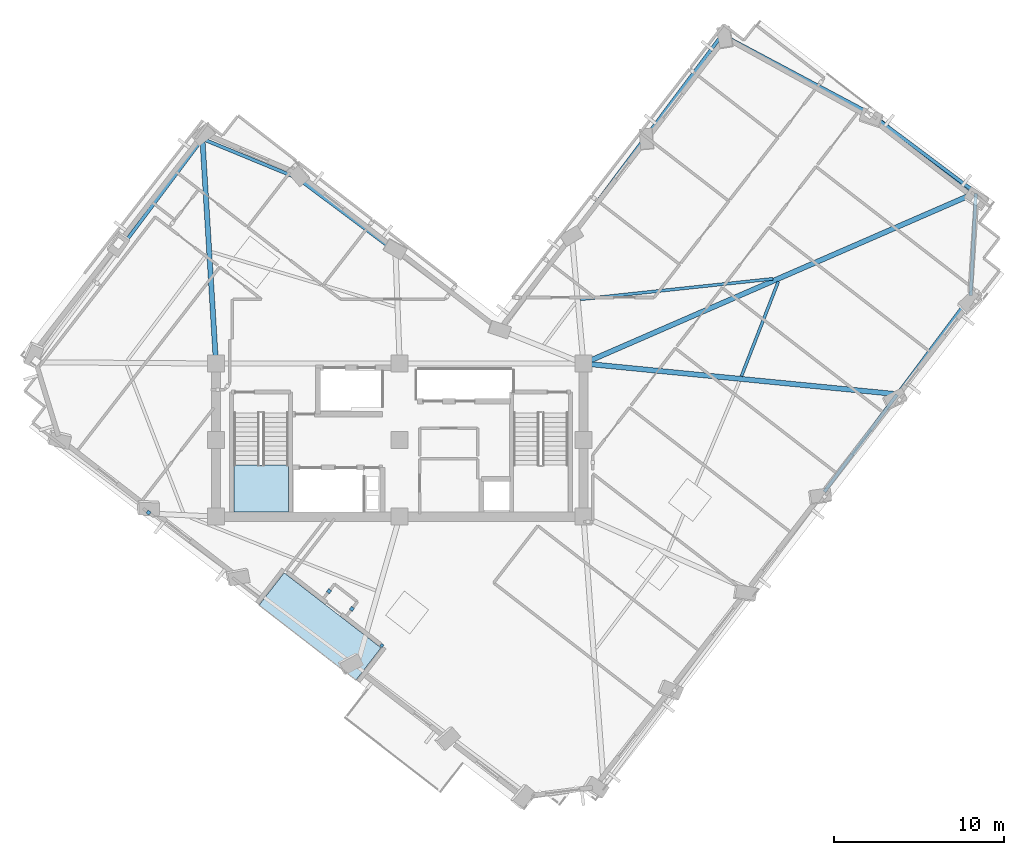
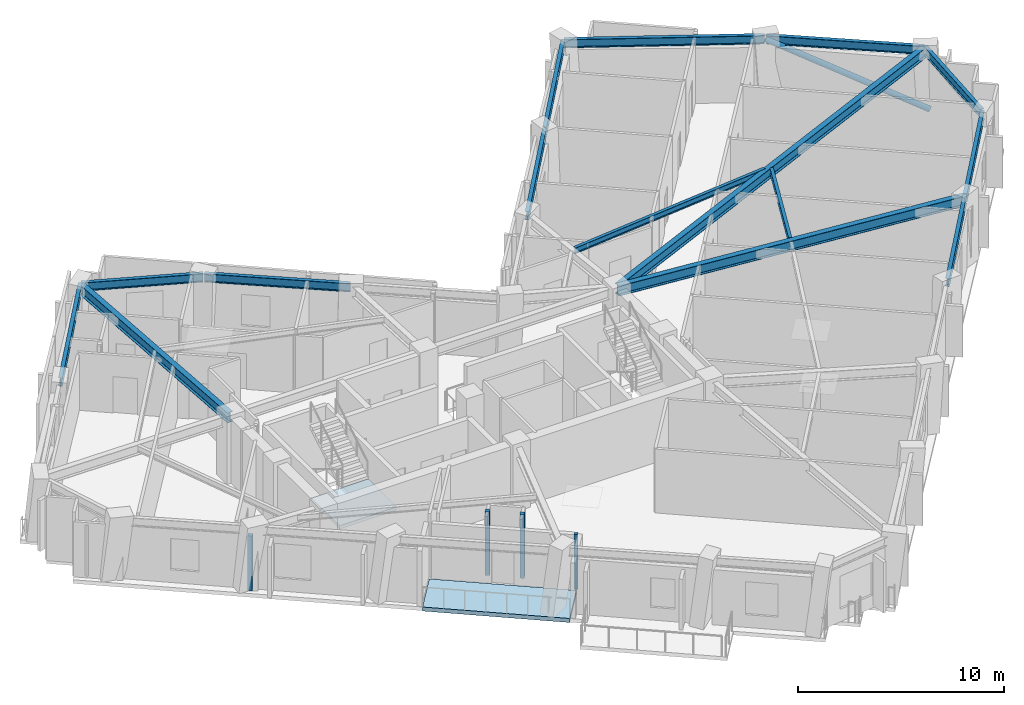
# One storey, part 2 of 12: 15 beams, 4 plates, 2 slabs, 1 member, 1 element without a shape of its own.
"""IFC4 building model written with IfcOpenShell, lengths in metres."""

from ifc_helpers import new_model, si_unit, direction, frame, origin, origin_2d, place, context, subcontext, project, spatial, polyline, rectangle, hollow_circle, i_section, outline, extrude, material, layer, layer_set, material_profile, profile_set, type_object, element, aggregate, save


model = new_model("IFC4")

# Units and contexts
model_context = context("Model", 3, precision=1e-05, world=origin(), true_north=direction((0.0, 1.0)))
body_context = subcontext(model_context, "Body", "Model", "MODEL_VIEW")
ifc_project = project(units=[si_unit("LENGTHUNIT", "METRE"), si_unit("AREAUNIT", "SQUARE_METRE"), si_unit("VOLUMEUNIT", "CUBIC_METRE"), si_unit("PLANEANGLEUNIT", "RADIAN"), si_unit("MASSUNIT", "GRAM", prefix="KILO")], contexts=[model_context])

# Site, building, storey
site_placement = place(None, origin())
site = spatial("IfcSite", under=ifc_project, at=site_placement, CompositionType="ELEMENT")
building_placement = place(site_placement, origin())
building = spatial("IfcBuilding", under=site, at=building_placement, Name="Gaonmaruhae Medical Tower", CompositionType="ELEMENT")
storey_placement = place(building_placement, frame((0.0, 0.0, 247.199951171875)))
storey = spatial("IfcBuildingStorey", under=building, at=storey_placement, Name="L59", CompositionType="ELEMENT", Elevation=247.199951171875)

# Beams
ifc_material_1 = material(Name="Steel SM355", Category="steel")
ifc_material_profile_1 = material_profile(ifc_material_1, i_section(OverallWidth=0.175048828125, OverallDepth=0.35009765625, WebThickness=0.007080078125, FlangeThickness=0.010986328125, FilletRadius=0.012939453125, at=origin_2d()), Name="H-350x175x7x11")
ifc_profile_set_1 = profile_set([ifc_material_profile_1], Name="Steel SM355")
beam_type_1 = type_object("IfcBeamType", Name="FJ-02 Upper Zone Ward Floor Joist (H-350x175x7x11)", PredefinedType="JOIST", material=ifc_profile_set_1)
beam_1_placement = place(storey_placement, frame((44.884765625, 16.04833984375, 3.60498046875), z_axis=(0.363072983276, 0.931760703622, 0.0), x_axis=(-0.931760703622, 0.363072983276, 0.0)))
element("IfcBeam", 1, at=beam_1_placement, inside=storey, type_object=beam_type_1, Name="L59 Secondary Floor Joist FJ03", PredefinedType="JOIST", context=body_context, shape_type="SweptSolid", body=[
    extrude(i_section(OverallWidth=0.175048828125, OverallDepth=0.35009765625, WebThickness=0.007080078125, FlangeThickness=0.010986328125, FilletRadius=0.012939453125, at=origin_2d()), origin(), (0.0, 0.0, 1.0), 5.977294921875),
])
beam_2_placement = place(storey_placement, frame((46.7353515625, 21.77783203125, 3.60498046875), z_axis=(-0.994376618559, -0.105901560248, 0.0), x_axis=(0.105901560248, -0.994376618559, 0.0)))
element("IfcBeam", 2, at=beam_2_placement, inside=storey, type_object=beam_type_1, Name="L59 Secondary Floor Joist FJ04", PredefinedType="JOIST", context=body_context, shape_type="SweptSolid", body=[
    extrude(i_section(OverallWidth=0.175048828125, OverallDepth=0.35009765625, WebThickness=0.007080078125, FlangeThickness=0.010986328125, FilletRadius=0.012939453125, at=origin_2d()), origin(), (0.0, 0.0, 1.0), 11.3837890625),
])

# Member
ifc_material_profile_2 = material_profile(ifc_material_1, hollow_circle(Radius=0.1591796875, WallThickness=0.01025390625, at=origin_2d()), Name="CHS-318.5x10.3")
ifc_profile_set_2 = profile_set([ifc_material_profile_2], Name="Steel SM355")
member_type = type_object("IfcMemberType", Name="PB-03 Perimeter Solid-Bay Tube Brace Upper (CHS-318.5x10.3)", PredefinedType="BRACE", material=ifc_profile_set_2)
member_placement = place(storey_placement, frame((58.697998046875, 26.4248046875, 0.25), z_axis=(-0.719743481399, 0.583505422486, 0.376152552713), x_axis=(-0.629756132161, -0.776792902906, 0.0)))
element("IfcMember", 3, at=member_placement, inside=storey, type_object=member_type, Name="L59 Perimeter Tube Solid-Bay Brace E01-E02", PredefinedType="BRACE", context=body_context, shape_type="SweptSolid", body=[
    extrude(hollow_circle(Radius=0.1591796875, WallThickness=0.01025390625, at=origin_2d()), origin(), (0.0, 0.0, 1.0), 8.719970703125),
])

# Beams
ifc_material_2 = material(Name="Steel SM420", Category="steel")
ifc_material_profile_3 = material_profile(ifc_material_2, i_section(OverallWidth=0.300048828125, OverallDepth=0.60009765625, WebThickness=0.011962890625, FlangeThickness=0.02001953125, FilletRadius=0.012939453125, at=origin_2d()), Name="H-600x300x12x20")
ifc_profile_set_3 = profile_set([ifc_material_profile_3], Name="Steel SM420")
beam_type_2 = type_object("IfcBeamType", Name="PG-04 Zone 4 Radial Floor Girder (H-600x300x12x20)", PredefinedType="BEAM", material=ifc_profile_set_3)
beam_3_placement = place(storey_placement, frame((35.649658203125, 16.795166015625, 3.47998046875), z_axis=(0.995248821772, -0.097364175961, 0.0), x_axis=(0.097364175961, 0.995248821772, 0.0)))
element("IfcBeam", 4, at=beam_3_placement, inside=storey, type_object=beam_type_2, Name="L59 Radial Primary Girder S05", PredefinedType="BEAM", context=body_context, shape_type="SweptSolid", body=[
    extrude(i_section(OverallWidth=0.300048828125, OverallDepth=0.60009765625, WebThickness=0.011962890625, FlangeThickness=0.02001953125, FilletRadius=0.012939453125, at=origin_2d()), origin(), (0.0, 0.0, 1.0), 18.440185546875),
])
beam_4_placement = place(storey_placement, frame((35.645751953125, 16.820068359375, 3.47998046875), z_axis=(0.916909508073, 0.399095169109, 0.0), x_axis=(-0.399095169109, 0.916909508073, 0.0)))
element("IfcBeam", 5, at=beam_4_placement, inside=storey, type_object=beam_type_2, Name="L59 Radial Primary Girder E01", PredefinedType="BEAM", context=body_context, shape_type="SweptSolid", body=[
    extrude(i_section(OverallWidth=0.300048828125, OverallDepth=0.60009765625, WebThickness=0.011962890625, FlangeThickness=0.02001953125, FilletRadius=0.012939453125, at=origin_2d()), origin(), (0.0, 0.0, 1.0), 25.057861328125),
])
beam_5_placement = place(storey_placement, frame((13.9970703125, 16.849853515625, 3.47998046875), z_axis=(-0.060210976342, 0.998185673273, 0.0), x_axis=(-0.998185673273, -0.060210976342, 0.0)))
element("IfcBeam", 6, at=beam_5_placement, inside=storey, type_object=beam_type_2, Name="L59 Radial Primary Girder N01", PredefinedType="BEAM", context=body_context, shape_type="SweptSolid", body=[
    extrude(i_section(OverallWidth=0.300048828125, OverallDepth=0.60009765625, WebThickness=0.011962890625, FlangeThickness=0.02001953125, FilletRadius=0.012939453125, at=origin_2d()), origin(), (0.0, 0.0, 1.0), 13.12939453125),
])
ifc_material_profile_4 = material_profile(ifc_material_1, i_section(OverallWidth=0.199951171875, OverallDepth=0.5, WebThickness=0.010009765625, FlangeThickness=0.01611328125, FilletRadius=0.012939453125, at=origin_2d()), Name="H-500x200x10x16")
ifc_profile_set_4 = profile_set([ifc_material_profile_4], Name="Steel SM355")
beam_type_3 = type_object("IfcBeamType", Name="SP-02 Upper Perimeter Spandrel Beam (H-500x200x10x16)", PredefinedType="SPANDREL", material=ifc_profile_set_4)
for number, where, z_axis, x_axis, name in (
    (7, (49.762939453125, 9.26171875, 3.530029296875), (0.599033976422, 0.800723607178, 0.0), (-0.800723607178, 0.599033976422, 0.0), "L59 Perimeter Spandrel Beam S04-S05"),
    (8, (54.075927734375, 15.02685546875, 3.530029296875), (0.599017529522, 0.8007359111, 0.0), (-0.8007359111, 0.599017529522, 0.0), "L59 Perimeter Spandrel Beam S05-S06"),
):
    element("IfcBeam", number, at=place(storey_placement, frame(where, z_axis=z_axis, x_axis=x_axis)), inside=storey, type_object=beam_type_3, Name=name, PredefinedType="SPANDREL", context=body_context, shape_type="SweptSolid", body=[
        extrude(i_section(OverallWidth=0.199951171875, OverallDepth=0.5, WebThickness=0.010009765625, FlangeThickness=0.01611328125, FilletRadius=0.012939453125, at=origin_2d()), origin(), (0.0, 0.0, 1.0), 7.1201171875),
    ])
beam_6_placement = place(storey_placement, frame((58.366943359375, 20.800048828125, 3.530029296875), z_axis=(0.049698457967, 0.998764268121, 0.0), x_axis=(-0.998764268121, 0.049698457967, 0.0)))
element("IfcBeam", 9, at=beam_6_placement, inside=storey, type_object=beam_type_3, Name="L59 Perimeter Spandrel Beam S06-E01", PredefinedType="SPANDREL", context=body_context, shape_type="SweptSolid", body=[
    extrude(i_section(OverallWidth=0.199951171875, OverallDepth=0.5, WebThickness=0.010009765625, FlangeThickness=0.01611328125, FilletRadius=0.012939453125, at=origin_2d()), origin(), (0.0, 0.0, 1.0), 6.0078125),
])
beam_7_placement = place(storey_placement, frame((58.635498046875, 26.864501953125, 3.530029296875), z_axis=(-0.80072803468, 0.599028058172, 0.0), x_axis=(-0.599028058172, -0.80072803468, 0.0)))
element("IfcBeam", 10, at=beam_7_placement, inside=storey, type_object=beam_type_3, Name="L59 Perimeter Spandrel Beam E01-E02", PredefinedType="SPANDREL", context=body_context, shape_type="SweptSolid", body=[
    extrude(i_section(OverallWidth=0.199951171875, OverallDepth=0.5, WebThickness=0.010009765625, FlangeThickness=0.01611328125, FilletRadius=0.012939453125, at=origin_2d()), origin(), (0.0, 0.0, 1.0), 7.719970703125),
])
beam_8_placement = place(storey_placement, frame((52.386474609375, 31.53173828125, 3.530029296875), z_axis=(-0.882873052873, 0.469611725269, 0.0), x_axis=(-0.469611725269, -0.882873052873, 0.0)))
element("IfcBeam", 11, at=beam_8_placement, inside=storey, type_object=beam_type_3, Name="L59 Perimeter Spandrel Beam E02-E03", PredefinedType="SPANDREL", context=body_context, shape_type="SweptSolid", body=[
    extrude(i_section(OverallWidth=0.199951171875, OverallDepth=0.5, WebThickness=0.010009765625, FlangeThickness=0.01611328125, FilletRadius=0.012939453125, at=origin_2d()), origin(), (0.0, 0.0, 1.0), 9.735107421875),
])
beam_9_placement = place(storey_placement, frame((43.732177734375, 36.09033203125, 3.530029296875), z_axis=(-0.599016438349, -0.800736727388, 0.0), x_axis=(0.800736727388, -0.599016438349, 0.0)))
element("IfcBeam", 12, at=beam_9_placement, inside=storey, type_object=beam_type_3, Name="L59 Perimeter Spandrel Beam E03-EN01", PredefinedType="SPANDREL", context=body_context, shape_type="SweptSolid", body=[
    extrude(i_section(OverallWidth=0.199951171875, OverallDepth=0.5, WebThickness=0.010009765625, FlangeThickness=0.01611328125, FilletRadius=0.012939453125, at=origin_2d()), origin(), (0.0, 0.0, 1.0), 7.469970703125),
])
for number, where, z_axis, x_axis, name in (
    (13, (39.209716796875, 30.044921875, 3.530029296875), (-0.599033976422, -0.800723607178, 0.0), (0.800723607178, -0.599033976422, 0.0), "L59 Perimeter Spandrel Beam EN01-EN02"),
    (14, (24.519775390625, 23.412841796875, 3.530029296875), (-0.8007359111, 0.599017529522, 0.0), (-0.599017529522, -0.8007359111, 0.0), "L59 Perimeter Spandrel Beam NE01-NE02"),
):
    element("IfcBeam", number, at=place(storey_placement, frame(where, z_axis=z_axis, x_axis=x_axis)), inside=storey, type_object=beam_type_3, Name=name, PredefinedType="SPANDREL", context=body_context, shape_type="SweptSolid", body=[
        extrude(i_section(OverallWidth=0.199951171875, OverallDepth=0.5, WebThickness=0.010009765625, FlangeThickness=0.01611328125, FilletRadius=0.012939453125, at=origin_2d()), origin(), (0.0, 0.0, 1.0), 7.1201171875),
    ])
beam_10_placement = place(storey_placement, frame((18.74951171875, 27.71728515625, 3.530029296875), z_axis=(-0.924433546173, 0.381343177086, 0.0), x_axis=(-0.381343177086, -0.924433546173, 0.0)))
element("IfcBeam", 15, at=beam_10_placement, inside=storey, type_object=beam_type_3, Name="L59 Perimeter Spandrel Beam NE02-N01", PredefinedType="SPANDREL", context=body_context, shape_type="SweptSolid", body=[
    extrude(i_section(OverallWidth=0.199951171875, OverallDepth=0.5, WebThickness=0.010009765625, FlangeThickness=0.01611328125, FilletRadius=0.012939453125, at=origin_2d()), origin(), (0.0, 0.0, 1.0), 5.958984375),
])
beam_11_placement = place(storey_placement, frame((13.1796875, 29.97314453125, 3.530029296875), z_axis=(-0.599018172592, -0.800735430029, 0.0), x_axis=(0.800735430029, -0.599018172592, 0.0)))
element("IfcBeam", 16, at=beam_11_placement, inside=storey, type_object=beam_type_3, Name="L59 Perimeter Spandrel Beam N01-N02", PredefinedType="SPANDREL", context=body_context, shape_type="SweptSolid", body=[
    extrude(i_section(OverallWidth=0.199951171875, OverallDepth=0.5, WebThickness=0.010009765625, FlangeThickness=0.01611328125, FilletRadius=0.012939453125, at=origin_2d()), origin(), (0.0, 0.0, 1.0), 8.119873046875),
])

# Plates
ifc_material_3 = material(Name="Anodised aluminium 6063-T6", Category="aluminium")
ifc_layer_1 = layer(ifc_material_3, 0.011962890625)
ifc_layer_set_1 = layer_set([ifc_layer_1], Name="Anodised aluminium 6063-T6")
plate_type = type_object("IfcPlateType", Name="PP-01 Interior Partition Corner Stiffener Plate", PredefinedType="SHEET", material=ifc_layer_set_1)
plate_1_placement = place(storey_placement, frame((23.75341796875, 0.224365234375, 0.0), z_axis=(0.0, 0.0, 1.0), x_axis=(-0.790689573744, 0.612217280034, 0.0)))
element("IfcPlate", 17, at=plate_1_placement, inside=storey, type_object=plate_type, Name="L59 Partition End Jamb Post Plate PLT-L59-ENDP-TERB-0", PredefinedType="SHEET", context=body_context, shape_type="SweptSolid", body=[
    extrude(rectangle(XDim=0.179931640625, YDim=0.179931640625, at=origin_2d()), origin(), (0.0, 0.0, 1.0), 3.264892578125),
])
for number, where, z_axis, x_axis, name in (
    (18, (21.991943359375, 2.3759765625, 0.0), (0.0, 0.0, 1.0), (0.612369070251, 0.790572021893, 0.0), "L59 Partition Corner Stiffener Plate PLT-L59-JGP-PW039"),
    (19, (20.64697265625, 3.41650390625, 0.0), (0.0, 0.0, 1.0), (-0.611899827578, -0.790935269798, 0.0), "L59 Partition Corner Stiffener Plate PLT-L59-JGP-PW041"),
):
    element("IfcPlate", number, at=place(storey_placement, frame(where, z_axis=z_axis, x_axis=x_axis)), inside=storey, type_object=plate_type, Name=name, PredefinedType="SHEET", context=body_context, shape_type="SweptSolid", body=[
        extrude(rectangle(XDim=0.219970703125, YDim=0.219970703125, at=origin_2d()), origin(), (0.0, 0.0, 1.0), 3.780029296875),
    ])
plate_2_placement = place(storey_placement, frame((10.034423828125, 8.03955078125, 0.0), z_axis=(0.0, 0.0, 1.0), x_axis=(-0.790860506228, 0.611996453984, 0.0)))
element("IfcPlate", 20, at=plate_2_placement, inside=storey, type_object=plate_type, Name="L59 Partition Corner Stiffener Plate PLT-L59-JGP-PW046", PredefinedType="SHEET", context=body_context, shape_type="SweptSolid", body=[
    extrude(rectangle(XDim=0.219970703125, YDim=0.219970703125, at=origin_2d()), origin(), (0.0, 0.0, 1.0), 3.264892578125),
])

# Stair, slab
ifc_material_4 = material(Name="Concrete C40/50", Category="concrete")
stair_type = type_object("IfcStairType", Name="ST-T1 Primary Core Escape Dogleg Stair", PredefinedType="TWO_QUARTER_TURN_STAIR", material=ifc_material_4)
stair_placement = place(storey_placement, origin())
stair = element("IfcStair", 21, at=stair_placement, inside=storey, type_object=stair_type, Name="L59 Protected Escape Stair ST-01", PredefinedType="TWO_QUARTER_TURN_STAIR")
ifc_layer_2 = layer(ifc_material_4, 0.199951171875)
ifc_layer_set_2 = layer_set([ifc_layer_2], Name="Concrete C40/50")
slab_type_1 = type_object("IfcSlabType", Name="SL-200 Stair & Ramp Intermediate Concrete Landing", PredefinedType="LANDING", material=ifc_layer_set_2)
slab_1_placement = place(storey_placement, frame((0.0, 0.0, 1.800048828125)))
slab_1 = element("IfcSlab", 22, at=slab_1_placement, type_object=slab_type_1, Name="ST-01 landing 1", PredefinedType="LANDING", context=body_context, shape_type="SweptSolid", body=[
    extrude(outline(polyline([(15.050048828125, 10.820068359375), (15.050048828125, 8.0791015625), (18.25, 8.0791015625), (18.25, 10.820068359375), (15.050048828125, 10.820068359375)])), origin(), (0.0, 0.0, 1.0), 0.199951171875),
])
aggregate(stair, [slab_1])

# Slab
ifc_layer_3 = layer(ifc_material_4, 0.239990234375)
ifc_layer_set_3 = layer_set([ifc_layer_3], Name="Concrete C40/50")
slab_type_2 = type_object("IfcSlabType", Name="TS-240 Sky Garden & Recovery Terrace Slab", PredefinedType="FLOOR", material=ifc_layer_set_3)
slab_2_placement = place(storey_placement, frame((0.0, 0.0, -0.239990234375)))
element("IfcSlab", 23, at=slab_2_placement, inside=storey, type_object=slab_type_2, Name="L59 Outdoor Recovery Terrace Slab", PredefinedType="FLOOR", context=body_context, shape_type="SweptSolid", body=[
    extrude(outline(polyline([(22.22998046875, -1.80859375), (23.69921875, 0.089111328125), (18.00634765625, 4.4970703125), (16.536865234375, 2.599365234375), (22.22998046875, -1.80859375)])), origin(), (0.0, 0.0, 1.0), 0.239990234375),
])

save(model, "model.ifc")
